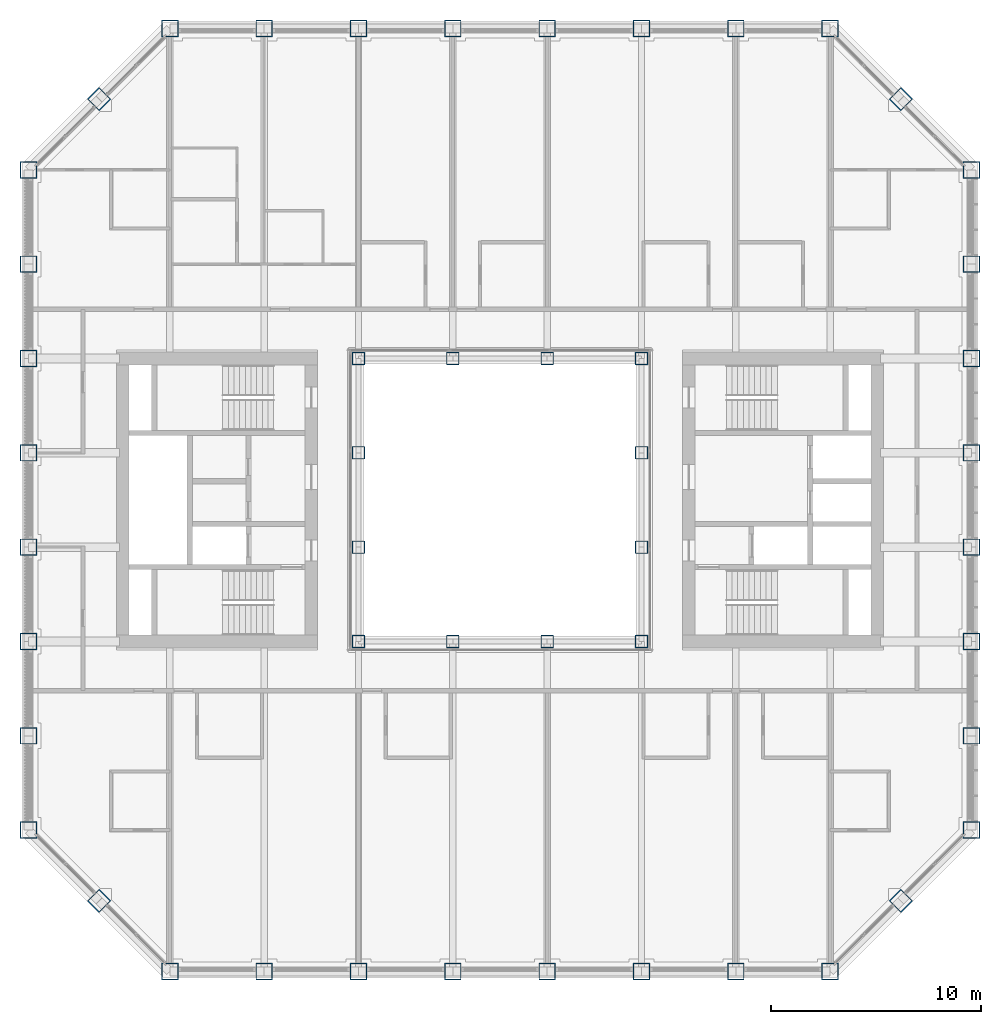
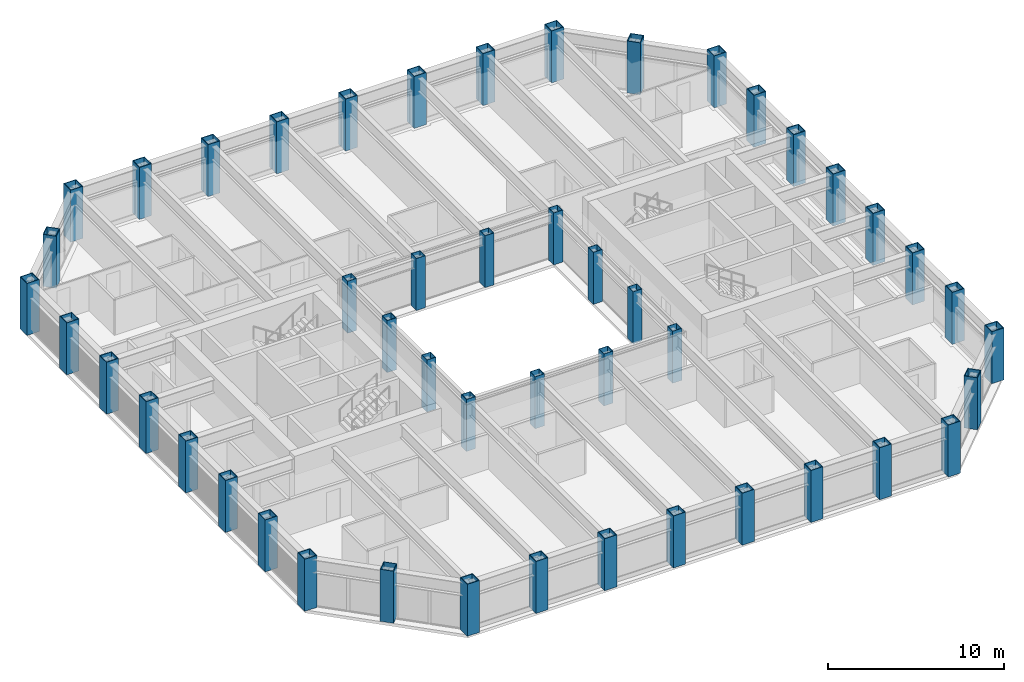
# One storey, part 1 of 17: 48 columns.
"""IFC4 building model written with IfcOpenShell, lengths in metres."""

from ifc_helpers import new_model, si_unit, direction, frame, origin, origin_2d, place, context, subcontext, project, spatial, hollow_rectangle, extrude, material, material_profile, profile_set, type_object, element, save


model = new_model("IFC4")

# Units and contexts
model_context = context("Model", 3, precision=1e-05, world=origin(), true_north=direction((0.0, 1.0)))
body_context = subcontext(model_context, "Body", "Model", "MODEL_VIEW")
ifc_project = project(units=[si_unit("LENGTHUNIT", "METRE"), si_unit("AREAUNIT", "SQUARE_METRE"), si_unit("VOLUMEUNIT", "CUBIC_METRE"), si_unit("PLANEANGLEUNIT", "RADIAN"), si_unit("MASSUNIT", "GRAM", prefix="KILO")], contexts=[model_context])

# Site, building, storey
site_placement = place(None, origin())
site = spatial("IfcSite", under=ifc_project, at=site_placement, CompositionType="ELEMENT")
building_placement = place(site_placement, origin())
building = spatial("IfcBuilding", under=site, at=building_placement, Name="Msasa Ring Tower", CompositionType="ELEMENT")
storey_placement = place(building_placement, frame((0.0, 0.0, 172.39990234375)))
storey = spatial("IfcBuildingStorey", under=building, at=storey_placement, Name="L45", CompositionType="ELEMENT", Elevation=172.39990234375)

# Columns
ifc_material_1 = material(Name="Steel S355", Category="steel")
ifc_material_profile_1 = material_profile(ifc_material_1, hollow_rectangle(XDim=0.60009765625, YDim=0.60009765625, WallThickness=0.030029296875, at=origin_2d()), Name="BOX 600x600x30")
ifc_profile_set_1 = profile_set([ifc_material_profile_1], Name="Steel S355")
column_type_1 = type_object("IfcColumnType", Name="IC5 BOX 600x600x30", PredefinedType="COLUMN", material=ifc_profile_set_1)
for number, where, z_axis, x_axis, name in (
    (1, (-6.75, -6.75, 0.0), (0.0, 0.0, 1.0), (1.0, 0.0, 0.0), "Inner ring column IR-6.75-6.75 L45"),
    (2, (-6.75, -2.25, 0.0), (0.0, 0.0, 1.0), (1.0, 0.0, 0.0), "Inner ring column IR-6.75-2.25 L45"),
    (3, (-6.75, 2.25, 0.0), (0.0, 0.0, 1.0), (1.0, 0.0, 0.0), "Inner ring column IR-6.75+2.25 L45"),
    (4, (-6.75, 6.75, 0.0), (0.0, 0.0, 1.0), (1.0, 0.0, 0.0), "Inner ring column IR-6.75+6.75 L45"),
    (5, (-2.25, -6.75, 0.0), (0.0, 0.0, 1.0), (1.0, 0.0, 0.0), "Inner ring column IR-2.25-6.75 L45"),
    (6, (-2.25, 6.75, 0.0), (0.0, 0.0, 1.0), (1.0, 0.0, 0.0), "Inner ring column IR-2.25+6.75 L45"),
    (7, (2.25, -6.75, 0.0), (0.0, 0.0, 1.0), (1.0, 0.0, 0.0), "Inner ring column IR+2.25-6.75 L45"),
    (8, (2.25, 6.75, 0.0), (0.0, 0.0, 1.0), (1.0, 0.0, 0.0), "Inner ring column IR+2.25+6.75 L45"),
    (9, (6.75, -6.75, 0.0), (0.0, 0.0, 1.0), (1.0, 0.0, 0.0), "Inner ring column IR+6.75-6.75 L45"),
    (10, (6.75, -2.25, 0.0), (0.0, 0.0, 1.0), (1.0, 0.0, 0.0), "Inner ring column IR+6.75-2.25 L45"),
    (11, (6.75, 2.25, 0.0), (0.0, 0.0, 1.0), (1.0, 0.0, 0.0), "Inner ring column IR+6.75+2.25 L45"),
    (12, (6.75, 6.75, 0.0), (0.0, 0.0, 1.0), (1.0, 0.0, 0.0), "Inner ring column IR+6.75+6.75 L45"),
):
    element("IfcColumn", number, at=place(storey_placement, frame(where, z_axis=z_axis, x_axis=x_axis)), inside=storey, type_object=column_type_1, Name=name, PredefinedType="COLUMN", context=body_context, shape_type="SweptSolid", body=[
        extrude(hollow_rectangle(XDim=0.60009765625, YDim=0.60009765625, WallThickness=0.030029296875, at=origin_2d()), origin(), (0.0, 0.0, 1.0), 3.60009765625),
    ])
ifc_material_2 = material(Name="Steel S355", Category="steel")
ifc_material_profile_2 = material_profile(ifc_material_2, hollow_rectangle(XDim=0.800048828125, YDim=0.800048828125, WallThickness=0.044921875, at=origin_2d()), Name="BOX 800x800x45")
ifc_profile_set_2 = profile_set([ifc_material_profile_2], Name="Steel S355")
column_type_2 = type_object("IfcColumnType", Name="TC5 BOX 800x800x45", PredefinedType="COLUMN", material=ifc_profile_set_2)
for number, where, z_axis, x_axis, name in (
    (13, (-15.75, -22.5, 0.0), (0.0, 0.0, 1.0), (0.0, 1.0, 0.0), "Tube column S-15.75 L45"),
    (14, (-15.75, 22.5, 0.0), (0.0, 0.0, 1.0), (0.0, 1.0, 0.0), "Tube column N-15.75 L45"),
    (15, (22.5, -15.75, 0.0), (0.0, 0.0, 1.0), (1.0, 0.0, 0.0), "Tube column E-15.75 L45"),
    (16, (-22.5, -15.75, 0.0), (0.0, 0.0, 1.0), (1.0, 0.0, 0.0), "Tube column W-15.75 L45"),
    (17, (-11.25, -22.5, 0.0), (0.0, 0.0, 1.0), (0.0, 1.0, 0.0), "Tube column S-11.25 L45"),
    (18, (-11.25, 22.5, 0.0), (0.0, 0.0, 1.0), (0.0, 1.0, 0.0), "Tube column N-11.25 L45"),
    (19, (22.5, -11.25, 0.0), (0.0, 0.0, 1.0), (1.0, 0.0, 0.0), "Tube column E-11.25 L45"),
    (20, (-22.5, -11.25, 0.0), (0.0, 0.0, 1.0), (1.0, 0.0, 0.0), "Tube column W-11.25 L45"),
    (21, (-6.75, -22.5, 0.0), (0.0, 0.0, 1.0), (0.0, 1.0, 0.0), "Tube column S-6.75 L45"),
    (22, (-6.75, 22.5, 0.0), (0.0, 0.0, 1.0), (0.0, 1.0, 0.0), "Tube column N-6.75 L45"),
    (23, (22.5, -6.75, 0.0), (0.0, 0.0, 1.0), (1.0, 0.0, 0.0), "Tube column E-6.75 L45"),
    (24, (-22.5, -6.75, 0.0), (0.0, 0.0, 1.0), (1.0, 0.0, 0.0), "Tube column W-6.75 L45"),
    (25, (-2.25, -22.5, 0.0), (0.0, 0.0, 1.0), (0.0, 1.0, 0.0), "Tube column S-2.25 L45"),
    (26, (-2.25, 22.5, 0.0), (0.0, 0.0, 1.0), (0.0, 1.0, 0.0), "Tube column N-2.25 L45"),
    (27, (22.5, -2.25, 0.0), (0.0, 0.0, 1.0), (1.0, 0.0, 0.0), "Tube column E-2.25 L45"),
    (28, (-22.5, -2.25, 0.0), (0.0, 0.0, 1.0), (1.0, 0.0, 0.0), "Tube column W-2.25 L45"),
    (29, (2.25, -22.5, 0.0), (0.0, 0.0, 1.0), (0.0, 1.0, 0.0), "Tube column S+2.25 L45"),
    (30, (2.25, 22.5, 0.0), (0.0, 0.0, 1.0), (0.0, 1.0, 0.0), "Tube column N+2.25 L45"),
    (31, (22.5, 2.25, 0.0), (0.0, 0.0, 1.0), (1.0, 0.0, 0.0), "Tube column E+2.25 L45"),
    (32, (-22.5, 2.25, 0.0), (0.0, 0.0, 1.0), (1.0, 0.0, 0.0), "Tube column W+2.25 L45"),
    (33, (6.75, -22.5, 0.0), (0.0, 0.0, 1.0), (0.0, 1.0, 0.0), "Tube column S+6.75 L45"),
    (34, (6.75, 22.5, 0.0), (0.0, 0.0, 1.0), (0.0, 1.0, 0.0), "Tube column N+6.75 L45"),
    (35, (22.5, 6.75, 0.0), (0.0, 0.0, 1.0), (1.0, 0.0, 0.0), "Tube column E+6.75 L45"),
    (36, (-22.5, 6.75, 0.0), (0.0, 0.0, 1.0), (1.0, 0.0, 0.0), "Tube column W+6.75 L45"),
    (37, (11.25, -22.5, 0.0), (0.0, 0.0, 1.0), (0.0, 1.0, 0.0), "Tube column S+11.25 L45"),
    (38, (11.25, 22.5, 0.0), (0.0, 0.0, 1.0), (0.0, 1.0, 0.0), "Tube column N+11.25 L45"),
    (39, (22.5, 11.25, 0.0), (0.0, 0.0, 1.0), (1.0, 0.0, 0.0), "Tube column E+11.25 L45"),
    (40, (-22.5, 11.25, 0.0), (0.0, 0.0, 1.0), (1.0, 0.0, 0.0), "Tube column W+11.25 L45"),
    (41, (15.75, -22.5, 0.0), (0.0, 0.0, 1.0), (0.0, 1.0, 0.0), "Tube column S+15.75 L45"),
    (42, (15.75, 22.5, 0.0), (0.0, 0.0, 1.0), (0.0, 1.0, 0.0), "Tube column N+15.75 L45"),
    (43, (22.5, 15.75, 0.0), (0.0, 0.0, 1.0), (1.0, 0.0, 0.0), "Tube column E+15.75 L45"),
    (44, (-22.5, 15.75, 0.0), (0.0, 0.0, 1.0), (1.0, 0.0, 0.0), "Tube column W+15.75 L45"),
    (45, (19.125, -19.125, 0.0), (0.0, 0.0, 1.0), (0.707106781187, -0.707106781187, 0.0), "Tube column SE L45"),
    (46, (19.125, 19.125, 0.0), (0.0, 0.0, 1.0), (0.707106781187, 0.707106781187, 0.0), "Tube column NE L45"),
    (47, (-19.125, 19.125, 0.0), (0.0, 0.0, 1.0), (0.707106781187, -0.707106781187, 0.0), "Tube column NW L45"),
    (48, (-19.125, -19.125, 0.0), (0.0, 0.0, 1.0), (0.707106781187, 0.707106781187, 0.0), "Tube column SW L45"),
):
    element("IfcColumn", number, at=place(storey_placement, frame(where, z_axis=z_axis, x_axis=x_axis)), inside=storey, type_object=column_type_2, Name=name, PredefinedType="COLUMN", context=body_context, shape_type="SweptSolid", body=[
        extrude(hollow_rectangle(XDim=0.800048828125, YDim=0.800048828125, WallThickness=0.044921875, at=origin_2d()), origin(), (0.0, 0.0, 1.0), 3.60009765625),
    ])

save(model, "model.ifc")
